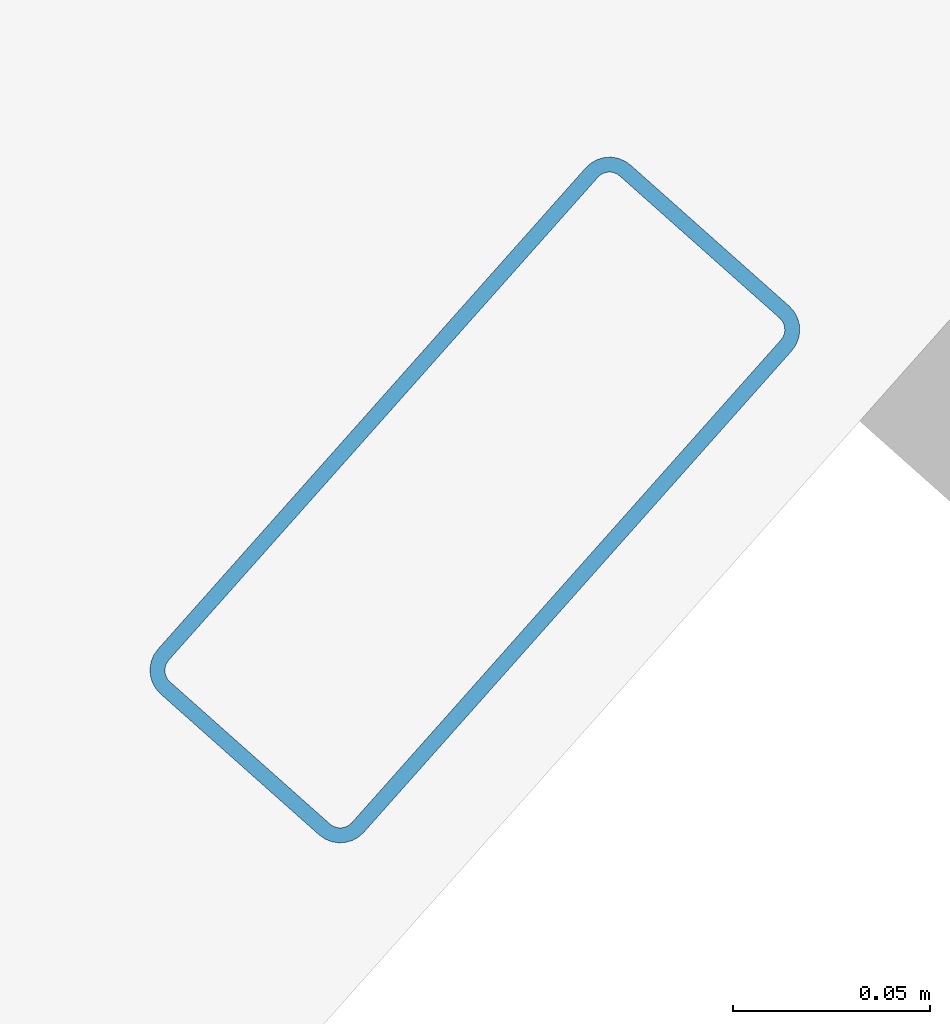
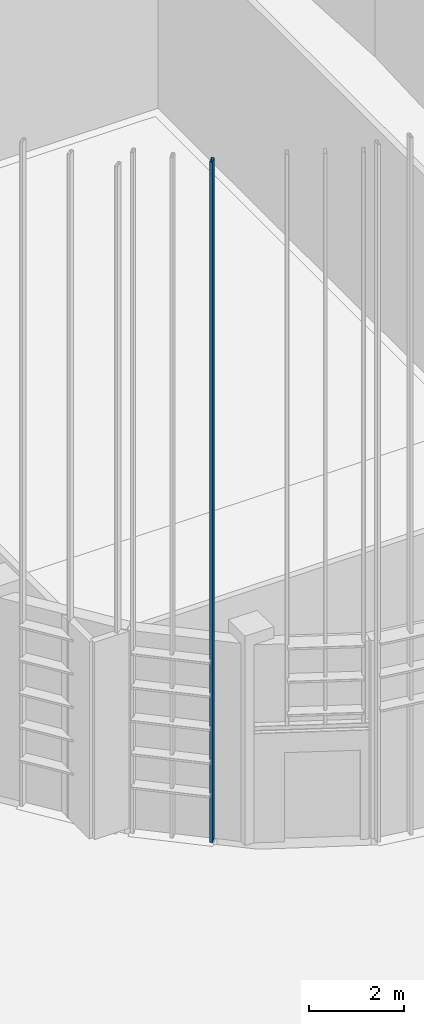
# One storey, part 257 of 372: 1 member.
"""IFC4 building model written with IfcOpenShell, lengths in metres."""

from ifc_helpers import new_model, si_unit, direction, frame, origin, origin_2d, place, context, subcontext, project, spatial, hollow_rectangle, extrude, material, material_profile, profile_set, type_object, element, save


model = new_model("IFC4")

# Units and contexts
model_context = context("Model", 3, precision=1e-05, world=origin(), true_north=direction((0.0, 1.0)))
body_context = subcontext(model_context, "Body", "Model", "MODEL_VIEW")
ifc_project = project(units=[si_unit("LENGTHUNIT", "METRE"), si_unit("AREAUNIT", "SQUARE_METRE"), si_unit("VOLUMEUNIT", "CUBIC_METRE"), si_unit("PLANEANGLEUNIT", "RADIAN"), si_unit("MASSUNIT", "GRAM", prefix="KILO")], contexts=[model_context])

# Site, building, storey
site_placement = place(None, origin())
site = spatial("IfcSite", under=ifc_project, at=site_placement, CompositionType="ELEMENT")
building_placement = place(site_placement, origin())
building = spatial("IfcBuilding", under=site, at=building_placement, Name="Kaelora Sail Theatre", CompositionType="ELEMENT")
storey_placement = place(building_placement, origin())
storey = spatial("IfcBuildingStorey", under=building, at=storey_placement, Name="L00", CompositionType="ELEMENT", Elevation=0.0)

# Member
ifc_material = material(Name="Anodised aluminium 6063-T6", Category="aluminium")
ifc_material_profile = material_profile(ifc_material, hollow_rectangle(XDim=0.070068359375, YDim=0.179931640625, WallThickness=0.00390625, InnerFilletRadius=0.00390625, OuterFilletRadius=0.008056640625, at=origin_2d()), Name="ALU-MULL 70x180x4")
ifc_profile_set = profile_set([ifc_material_profile], Name="Anodised aluminium 6063-T6")
member_type = type_object("IfcMemberType", Name="ARC-MEM-PST-160", PredefinedType="POST", material=ifc_profile_set)
member_placement = place(storey_placement, frame((129.939208984375, 25.662109375, 0.0), z_axis=(0.0, 0.0, 1.0), x_axis=(-0.747450357056, 0.664317667789, 0.0)))
element("IfcMember", 1, at=member_placement, inside=storey, type_object=member_type, Name="Black-Box and Experimental Sail Wing solar louvre vertical support post C13-1", PredefinedType="POST", context=body_context, shape_type="SweptSolid", body=[
    extrude(hollow_rectangle(XDim=0.070068359375, YDim=0.179931640625, WallThickness=0.00390625, InnerFilletRadius=0.00390625, OuterFilletRadius=0.008056640625, at=origin_2d()), origin(), (0.0, 0.0, 1.0), 17.541015625),
])

save(model, "model.ifc")
